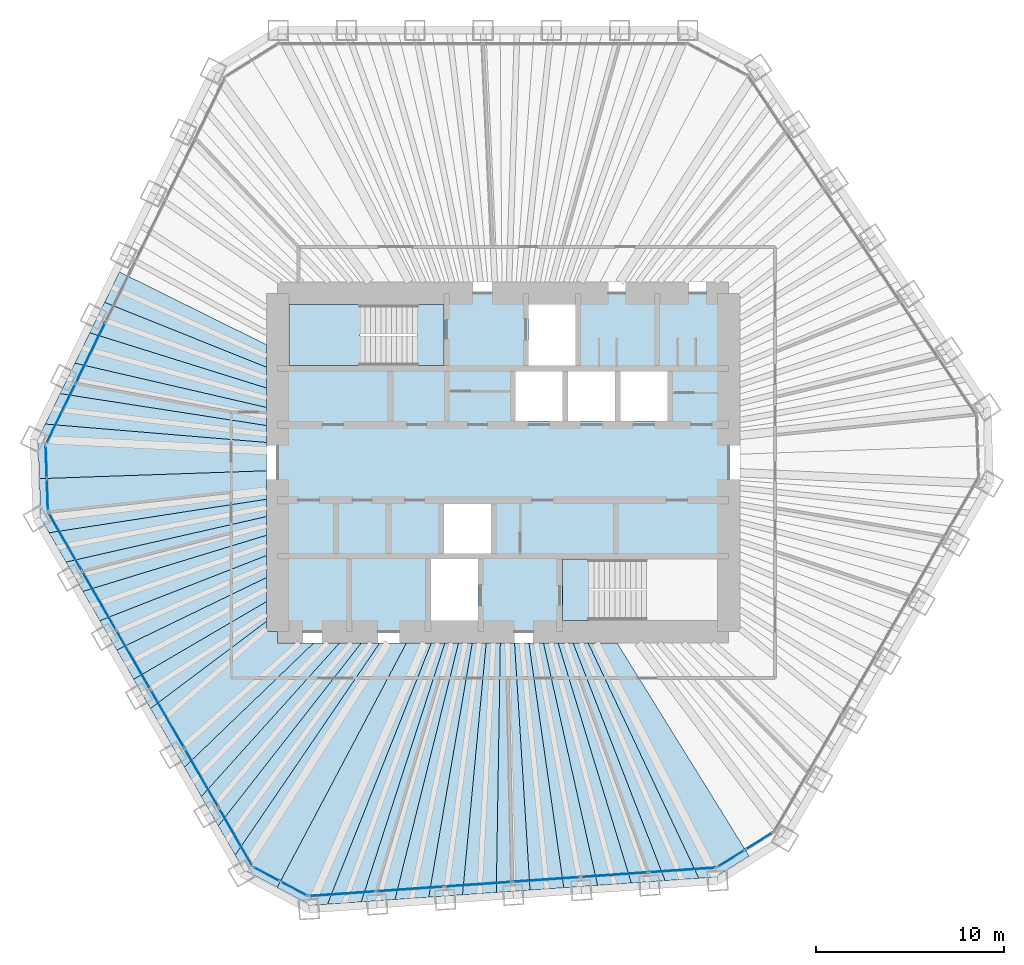
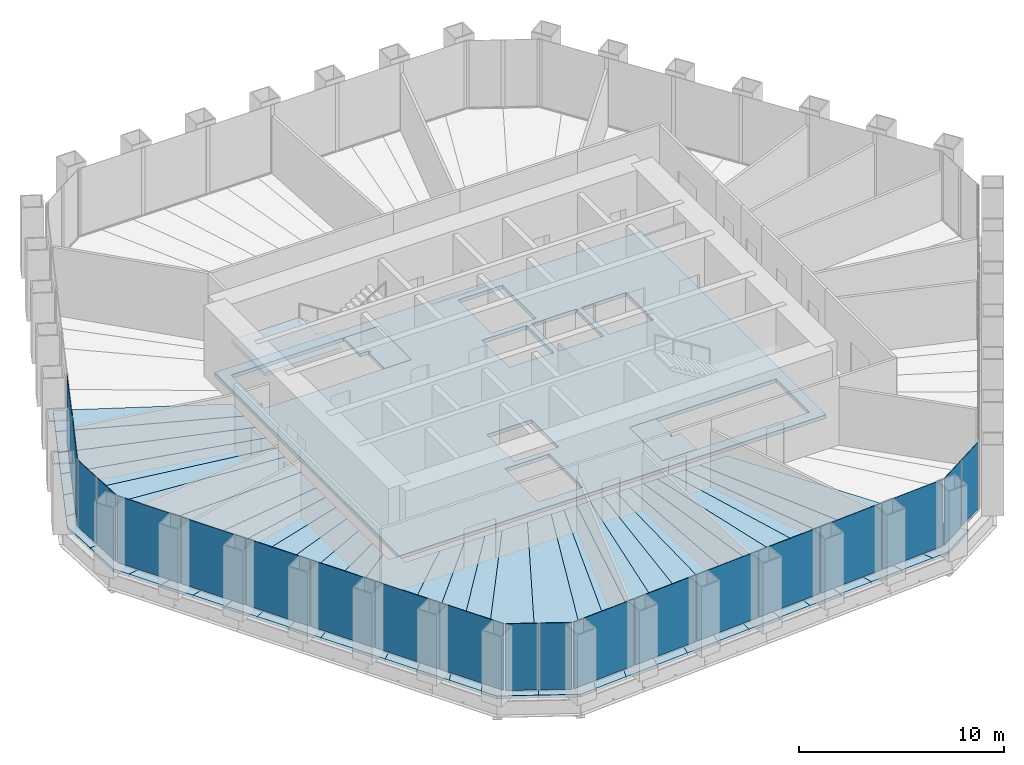
# One storey, part 8 of 13: 35 slabs, 20 plates, 8 elements without a shape of their own.
"""IFC4 building model written with IfcOpenShell, lengths in metres."""

from ifc_helpers import new_model, si_unit, direction, frame, origin, origin_2d, place, context, subcontext, project, spatial, polyline, rectangle, outline, extrude, material, layer, layer_set, type_object, element, aggregate, save


model = new_model("IFC4")

# Units and contexts
model_context = context("Model", 3, precision=1e-05, world=origin(), true_north=direction((0.0, 1.0)))
body_context = subcontext(model_context, "Body", "Model", "MODEL_VIEW")
ifc_project = project(units=[si_unit("LENGTHUNIT", "METRE"), si_unit("AREAUNIT", "SQUARE_METRE"), si_unit("VOLUMEUNIT", "CUBIC_METRE"), si_unit("PLANEANGLEUNIT", "RADIAN"), si_unit("MASSUNIT", "GRAM", prefix="KILO")], contexts=[model_context])

# Site, building, storey
site_placement = place(None, origin())
site = spatial("IfcSite", under=ifc_project, at=site_placement, CompositionType="ELEMENT")
building_placement = place(site_placement, origin())
building = spatial("IfcBuilding", under=site, at=building_placement, Name="Qingtian Harvest Tower", CompositionType="ELEMENT")
storey_placement = place(building_placement, frame((0.0, 0.0, 209.800048828125)))
storey = spatial("IfcBuildingStorey", under=building, at=storey_placement, Name="L45", CompositionType="ELEMENT", Elevation=209.800048828125)

# Slabs
ifc_material_1 = material(Name="Concrete fc' 35 MPa", Category="concrete")
ifc_layer_1 = layer(ifc_material_1, 0.169921875)
ifc_layer_set_1 = layer_set([ifc_layer_1], Name="Composite floor slab FS17 170")
slab_type_1 = type_object("IfcSlabType", Name="Composite floor slab FS17 170", PredefinedType="FLOOR", material=ifc_layer_set_1)
slab_1_placement = place(storey_placement, frame((0.0, 0.0, -0.170166015625)))
element("IfcSlab", 1, at=slab_1_placement, inside=storey, type_object=slab_type_1, Name="Floor slab L45 panel D01", PredefinedType="FLOOR", context=body_context, shape_type="SweptSolid", body=[
    extrude(outline(polyline([(-24.6865234375, -0.862060546875), (-12.60009765625, -0.443115234375), (-12.60009765625, -1.958984375), (-24.17236328125, -3.742431640625), (-24.612548828125, -2.979736328125), (-24.6865234375, -0.862060546875)])), origin(), (0.0, 0.0, 1.0), 0.170166015625),
])
slab_2_placement = place(storey_placement, frame((0.0, 0.0, -0.170166015625)))
element("IfcSlab", 2, at=slab_2_placement, inside=storey, type_object=slab_type_1, Name="Floor slab L45 panel D02", PredefinedType="FLOOR", context=body_context, shape_type="SweptSolid", body=[
    extrude(outline(polyline([(-12.60009765625, -2.880126953125), (-23.271484375, -5.302490234375), (-24.17236328125, -3.742431640625), (-12.60009765625, -1.958984375), (-12.60009765625, -2.880126953125)])), origin(), (0.0, 0.0, 1.0), 0.170166015625),
])
slab_3_placement = place(storey_placement, frame((0.0, 0.0, -0.170166015625)))
element("IfcSlab", 3, at=slab_3_placement, inside=storey, type_object=slab_type_1, Name="Floor slab L45 panel D03", PredefinedType="FLOOR", context=body_context, shape_type="SweptSolid", body=[
    extrude(outline(polyline([(-12.60009765625, -3.87548828125), (-22.370849609375, -6.862548828125), (-23.271484375, -5.302490234375), (-12.60009765625, -2.880126953125), (-12.60009765625, -3.87548828125)])), origin(), (0.0, 0.0, 1.0), 0.170166015625),
])
slab_4_placement = place(storey_placement, frame((0.0, 0.0, -0.170166015625)))
element("IfcSlab", 4, at=slab_4_placement, inside=storey, type_object=slab_type_1, Name="Floor slab L45 panel D04", PredefinedType="FLOOR", context=body_context, shape_type="SweptSolid", body=[
    extrude(outline(polyline([(-12.60009765625, -4.95458984375), (-21.47021484375, -8.422607421875), (-22.370849609375, -6.862548828125), (-12.60009765625, -3.87548828125), (-12.60009765625, -4.95458984375)])), origin(), (0.0, 0.0, 1.0), 0.170166015625),
])
slab_5_placement = place(storey_placement, frame((0.0, 0.0, -0.170166015625)))
element("IfcSlab", 5, at=slab_5_placement, inside=storey, type_object=slab_type_1, Name="Floor slab L45 panel D05", PredefinedType="FLOOR", context=body_context, shape_type="SweptSolid", body=[
    extrude(outline(polyline([(-12.60009765625, -6.128173828125), (-20.569580078125, -9.982666015625), (-21.47021484375, -8.422607421875), (-12.60009765625, -4.95458984375), (-12.60009765625, -6.128173828125)])), origin(), (0.0, 0.0, 1.0), 0.170166015625),
])
slab_6_placement = place(storey_placement, frame((0.0, 0.0, -0.170166015625)))
element("IfcSlab", 6, at=slab_6_placement, inside=storey, type_object=slab_type_1, Name="Floor slab L45 panel D06", PredefinedType="FLOOR", context=body_context, shape_type="SweptSolid", body=[
    extrude(outline(polyline([(-12.60009765625, -7.409423828125), (-19.668701171875, -11.542724609375), (-20.569580078125, -9.982666015625), (-12.60009765625, -6.128173828125), (-12.60009765625, -7.409423828125)])), origin(), (0.0, 0.0, 1.0), 0.170166015625),
])
slab_7_placement = place(storey_placement, frame((0.0, 0.0, -0.170166015625)))
element("IfcSlab", 7, at=slab_7_placement, inside=storey, type_object=slab_type_1, Name="Floor slab L45 panel D07", PredefinedType="FLOOR", context=body_context, shape_type="SweptSolid", body=[
    extrude(outline(polyline([(-12.60009765625, -8.46435546875), (-18.771728515625, -13.0966796875), (-19.668701171875, -11.542724609375), (-12.60009765625, -7.409423828125), (-12.60009765625, -8.46435546875)])), origin(), (0.0, 0.0, 1.0), 0.170166015625),
])
slab_8_placement = place(storey_placement, frame((0.0, 0.0, -0.170166015625)))
element("IfcSlab", 8, at=slab_8_placement, inside=storey, type_object=slab_type_1, Name="Floor slab L45 panel D09", PredefinedType="FLOOR", context=body_context, shape_type="SweptSolid", body=[
    extrude(outline(polyline([(-16.967041015625, -16.22216796875), (-18.771728515625, -13.0966796875), (-12.60009765625, -8.46435546875), (-12.60009765625, -9.0), (-12.0, -9.0), (-12.0, -9.60009765625), (-10.07666015625, -9.60009765625), (-16.967041015625, -16.22216796875)])), origin(), (0.0, 0.0, 1.0), 0.170166015625),
])
slab_9_placement = place(storey_placement, frame((0.0, 0.0, -0.170166015625)))
element("IfcSlab", 9, at=slab_9_placement, inside=storey, type_object=slab_type_1, Name="Floor slab L45 panel D10", PredefinedType="FLOOR", context=body_context, shape_type="SweptSolid", body=[
    extrude(outline(polyline([(-8.700927734375, -9.60009765625), (-16.06640625, -17.7822265625), (-16.967041015625, -16.22216796875), (-10.07666015625, -9.60009765625), (-8.700927734375, -9.60009765625)])), origin(), (0.0, 0.0, 1.0), 0.170166015625),
])
slab_10_placement = place(storey_placement, frame((0.0, 0.0, -0.170166015625)))
element("IfcSlab", 10, at=slab_10_placement, inside=storey, type_object=slab_type_1, Name="Floor slab L45 panel D11", PredefinedType="FLOOR", context=body_context, shape_type="SweptSolid", body=[
    extrude(outline(polyline([(-7.548095703125, -9.60009765625), (-15.16552734375, -19.34228515625), (-16.06640625, -17.7822265625), (-8.700927734375, -9.60009765625), (-7.548095703125, -9.60009765625)])), origin(), (0.0, 0.0, 1.0), 0.170166015625),
])
slab_11_placement = place(storey_placement, frame((0.0, 0.0, -0.170166015625)))
element("IfcSlab", 11, at=slab_11_placement, inside=storey, type_object=slab_type_1, Name="Floor slab L45 panel D12", PredefinedType="FLOOR", context=body_context, shape_type="SweptSolid", body=[
    extrude(outline(polyline([(-6.568359375, -9.60009765625), (-14.264892578125, -20.90234375), (-15.16552734375, -19.34228515625), (-7.548095703125, -9.60009765625), (-6.568359375, -9.60009765625)])), origin(), (0.0, 0.0, 1.0), 0.170166015625),
])
slab_12_placement = place(storey_placement, frame((0.0, 0.0, -0.170166015625)))
element("IfcSlab", 12, at=slab_12_placement, inside=storey, type_object=slab_type_1, Name="Floor slab L45 panel D13", PredefinedType="FLOOR", context=body_context, shape_type="SweptSolid", body=[
    extrude(outline(polyline([(-6.568359375, -9.60009765625), (-5.14501953125, -9.60009765625), (-12.028076171875, -22.620361328125), (-13.82470703125, -21.6650390625), (-14.264892578125, -20.90234375), (-6.568359375, -9.60009765625)])), origin(), (0.0, 0.0, 1.0), 0.170166015625),
])
slab_13_placement = place(storey_placement, frame((0.0, 0.0, -0.170166015625)))
element("IfcSlab", 13, at=slab_13_placement, inside=storey, type_object=slab_type_1, Name="Floor slab L45 panel D14", PredefinedType="FLOOR", context=body_context, shape_type="SweptSolid", body=[
    extrude(outline(polyline([(-5.14501953125, -9.60009765625), (-3.817138671875, -9.60009765625), (-9.352294921875, -23.5146484375), (-10.23046875, -23.576171875), (-12.028076171875, -22.620361328125), (-5.14501953125, -9.60009765625)])), origin(), (0.0, 0.0, 1.0), 0.170166015625),
])
slab_14_placement = place(storey_placement, frame((0.0, 0.0, -0.170166015625)))
element("IfcSlab", 14, at=slab_14_placement, inside=storey, type_object=slab_type_1, Name="Floor slab L45 panel D15", PredefinedType="FLOOR", context=body_context, shape_type="SweptSolid", body=[
    extrude(outline(polyline([(-3.10009765625, -9.60009765625), (-7.55517578125, -23.388916015625), (-9.352294921875, -23.5146484375), (-3.817138671875, -9.60009765625), (-3.10009765625, -9.60009765625)])), origin(), (0.0, 0.0, 1.0), 0.170166015625),
])
slab_15_placement = place(storey_placement, frame((0.0, 0.0, -0.170166015625)))
element("IfcSlab", 15, at=slab_15_placement, inside=storey, type_object=slab_type_1, Name="Floor slab L45 panel D16", PredefinedType="FLOOR", context=body_context, shape_type="SweptSolid", body=[
    extrude(outline(polyline([(-2.375244140625, -9.60009765625), (-5.75830078125, -23.263427734375), (-7.55517578125, -23.388916015625), (-3.10009765625, -9.60009765625), (-2.375244140625, -9.60009765625)])), origin(), (0.0, 0.0, 1.0), 0.170166015625),
])
slab_16_placement = place(storey_placement, frame((0.0, 0.0, -0.170166015625)))
element("IfcSlab", 16, at=slab_16_placement, inside=storey, type_object=slab_type_1, Name="Floor slab L45 panel D17", PredefinedType="FLOOR", context=body_context, shape_type="SweptSolid", body=[
    extrude(outline(polyline([(-1.642578125, -9.60009765625), (-3.96142578125, -23.1376953125), (-5.75830078125, -23.263427734375), (-2.375244140625, -9.60009765625), (-1.642578125, -9.60009765625)])), origin(), (0.0, 0.0, 1.0), 0.170166015625),
])
slab_17_placement = place(storey_placement, frame((0.0, 0.0, -0.170166015625)))
element("IfcSlab", 17, at=slab_17_placement, inside=storey, type_object=slab_type_1, Name="Floor slab L45 panel D18", PredefinedType="FLOOR", context=body_context, shape_type="SweptSolid", body=[
    extrude(outline(polyline([(-0.90185546875, -9.60009765625), (-2.164306640625, -23.011962890625), (-3.96142578125, -23.1376953125), (-1.642578125, -9.60009765625), (-0.90185546875, -9.60009765625)])), origin(), (0.0, 0.0, 1.0), 0.170166015625),
])
slab_18_placement = place(storey_placement, frame((0.0, 0.0, -0.170166015625)))
element("IfcSlab", 18, at=slab_18_placement, inside=storey, type_object=slab_type_1, Name="Floor slab L45 panel D19", PredefinedType="FLOOR", context=body_context, shape_type="SweptSolid", body=[
    extrude(outline(polyline([(-0.153076171875, -9.60009765625), (-0.367431640625, -22.886474609375), (-2.164306640625, -23.011962890625), (-0.90185546875, -9.60009765625), (-0.153076171875, -9.60009765625)])), origin(), (0.0, 0.0, 1.0), 0.170166015625),
])
slab_19_placement = place(storey_placement, frame((0.0, 0.0, -0.170166015625)))
element("IfcSlab", 19, at=slab_19_placement, inside=storey, type_object=slab_type_1, Name="Floor slab L45 panel D20", PredefinedType="FLOOR", context=body_context, shape_type="SweptSolid", body=[
    extrude(outline(polyline([(0.60400390625, -9.60009765625), (1.4296875, -22.7607421875), (-0.367431640625, -22.886474609375), (-0.153076171875, -9.60009765625), (0.60400390625, -9.60009765625)])), origin(), (0.0, 0.0, 1.0), 0.170166015625),
])
slab_20_placement = place(storey_placement, frame((0.0, 0.0, -0.170166015625)))
element("IfcSlab", 20, at=slab_20_placement, inside=storey, type_object=slab_type_1, Name="Floor slab L45 panel D21", PredefinedType="FLOOR", context=body_context, shape_type="SweptSolid", body=[
    extrude(outline(polyline([(1.36962890625, -9.60009765625), (3.2265625, -22.635009765625), (1.4296875, -22.7607421875), (0.60400390625, -9.60009765625), (1.36962890625, -9.60009765625)])), origin(), (0.0, 0.0, 1.0), 0.170166015625),
])
slab_21_placement = place(storey_placement, frame((0.0, 0.0, -0.170166015625)))
element("IfcSlab", 21, at=slab_21_placement, inside=storey, type_object=slab_type_1, Name="Floor slab L45 panel D22", PredefinedType="FLOOR", context=body_context, shape_type="SweptSolid", body=[
    extrude(outline(polyline([(2.1435546875, -9.60009765625), (5.023681640625, -22.509521484375), (3.2265625, -22.635009765625), (1.36962890625, -9.60009765625), (2.1435546875, -9.60009765625)])), origin(), (0.0, 0.0, 1.0), 0.170166015625),
])
slab_22_placement = place(storey_placement, frame((0.0, 0.0, -0.170166015625)))
element("IfcSlab", 22, at=slab_22_placement, inside=storey, type_object=slab_type_1, Name="Floor slab L45 panel D23", PredefinedType="FLOOR", context=body_context, shape_type="SweptSolid", body=[
    extrude(outline(polyline([(2.92626953125, -9.60009765625), (6.820556640625, -22.3837890625), (5.023681640625, -22.509521484375), (2.1435546875, -9.60009765625), (2.92626953125, -9.60009765625)])), origin(), (0.0, 0.0, 1.0), 0.170166015625),
])
slab_23_placement = place(storey_placement, frame((0.0, 0.0, -0.170166015625)))
element("IfcSlab", 23, at=slab_23_placement, inside=storey, type_object=slab_type_1, Name="Floor slab L45 panel D24", PredefinedType="FLOOR", context=body_context, shape_type="SweptSolid", body=[
    extrude(outline(polyline([(3.718017578125, -9.60009765625), (8.61767578125, -22.258056640625), (6.820556640625, -22.3837890625), (2.92626953125, -9.60009765625), (3.718017578125, -9.60009765625)])), origin(), (0.0, 0.0, 1.0), 0.170166015625),
])
slab_24_placement = place(storey_placement, frame((0.0, 0.0, -0.170166015625)))
element("IfcSlab", 24, at=slab_24_placement, inside=storey, type_object=slab_type_1, Name="Floor slab L45 panel D25", PredefinedType="FLOOR", context=body_context, shape_type="SweptSolid", body=[
    extrude(outline(polyline([(4.5185546875, -9.60009765625), (10.41455078125, -22.13232421875), (8.61767578125, -22.258056640625), (3.718017578125, -9.60009765625), (4.5185546875, -9.60009765625)])), origin(), (0.0, 0.0, 1.0), 0.170166015625),
])
slab_25_placement = place(storey_placement, frame((0.0, 0.0, -0.170166015625)))
element("IfcSlab", 25, at=slab_25_placement, inside=storey, type_object=slab_type_1, Name="Floor slab L45 panel D26", PredefinedType="FLOOR", context=body_context, shape_type="SweptSolid", body=[
    extrude(outline(polyline([(4.5185546875, -9.60009765625), (6.059326171875, -9.60009765625), (13.090576171875, -20.94775390625), (11.292724609375, -22.071044921875), (10.41455078125, -22.13232421875), (4.5185546875, -9.60009765625)])), origin(), (0.0, 0.0, 1.0), 0.170166015625),
])
slab_26_placement = place(storey_placement, frame((0.0, 0.0, -0.170166015625)))
element("IfcSlab", 26, at=slab_26_placement, inside=storey, type_object=slab_type_1, Name="Floor slab L45 panel D73", PredefinedType="FLOOR", context=body_context, shape_type="SweptSolid", body=[
    extrude(outline(polyline([(-12.60009765625, 5.072509765625), (-21.2158203125, 8.5234375), (-20.426025390625, 10.142578125), (-12.60009765625, 6.268310546875), (-12.60009765625, 5.072509765625)])), origin(), (0.0, 0.0, 1.0), 0.170166015625),
])
slab_27_placement = place(storey_placement, frame((0.0, 0.0, -0.170166015625)))
element("IfcSlab", 27, at=slab_27_placement, inside=storey, type_object=slab_type_1, Name="Floor slab L45 panel D74", PredefinedType="FLOOR", context=body_context, shape_type="SweptSolid", body=[
    extrude(outline(polyline([(-12.60009765625, 3.962890625), (-22.00537109375, 6.904296875), (-21.2158203125, 8.5234375), (-12.60009765625, 5.072509765625), (-12.60009765625, 3.962890625)])), origin(), (0.0, 0.0, 1.0), 0.170166015625),
])
slab_28_placement = place(storey_placement, frame((0.0, 0.0, -0.170166015625)))
element("IfcSlab", 28, at=slab_28_placement, inside=storey, type_object=slab_type_1, Name="Floor slab L45 panel D75", PredefinedType="FLOOR", context=body_context, shape_type="SweptSolid", body=[
    extrude(outline(polyline([(-12.60009765625, 2.929931640625), (-22.795166015625, 5.28515625), (-22.00537109375, 6.904296875), (-12.60009765625, 3.962890625), (-12.60009765625, 2.929931640625)])), origin(), (0.0, 0.0, 1.0), 0.170166015625),
])
slab_29_placement = place(storey_placement, frame((0.0, 0.0, -0.170166015625)))
element("IfcSlab", 29, at=slab_29_placement, inside=storey, type_object=slab_type_1, Name="Floor slab L45 panel D76", PredefinedType="FLOOR", context=body_context, shape_type="SweptSolid", body=[
    extrude(outline(polyline([(-12.60009765625, 1.96630859375), (-23.584716796875, 3.666259765625), (-22.795166015625, 5.28515625), (-12.60009765625, 2.929931640625), (-12.60009765625, 1.96630859375)])), origin(), (0.0, 0.0, 1.0), 0.170166015625),
])
slab_30_placement = place(storey_placement, frame((0.0, 0.0, -0.170166015625)))
element("IfcSlab", 30, at=slab_30_placement, inside=storey, type_object=slab_type_1, Name="Floor slab L45 panel D77", PredefinedType="FLOOR", context=body_context, shape_type="SweptSolid", body=[
    extrude(outline(polyline([(-12.60009765625, 1.065185546875), (-24.37451171875, 2.047119140625), (-23.584716796875, 3.666259765625), (-12.60009765625, 1.96630859375), (-12.60009765625, 1.065185546875)])), origin(), (0.0, 0.0, 1.0), 0.170166015625),
])
slab_31_placement = place(storey_placement, frame((0.0, 0.0, -0.170166015625)))
element("IfcSlab", 31, at=slab_31_placement, inside=storey, type_object=slab_type_1, Name="Floor slab L45 panel D78", PredefinedType="FLOOR", context=body_context, shape_type="SweptSolid", body=[
    extrude(outline(polyline([(-12.60009765625, 1.065185546875), (-12.60009765625, -0.443115234375), (-24.6865234375, -0.862060546875), (-24.760498046875, 1.255615234375), (-24.37451171875, 2.047119140625), (-12.60009765625, 1.065185546875)])), origin(), (0.0, 0.0, 1.0), 0.170166015625),
])
ifc_material_2 = material(Name="Concrete fc' 35 MPa", Category="concrete")
ifc_layer_2 = layer(ifc_material_2, 0.219970703125)
ifc_layer_set_2 = layer_set([ifc_layer_2], Name="Core floor slab CS22 220")
slab_type_2 = type_object("IfcSlabType", Name="Core floor slab CS22 220", PredefinedType="FLOOR", material=ifc_layer_set_2)
slab_32_placement = place(storey_placement, frame((0.0, 0.0, -0.219970703125)))
element("IfcSlab", 32, at=slab_32_placement, inside=storey, type_object=slab_type_2, Name="Core floor slab L45", PredefinedType="FLOOR", context=body_context, shape_type="SweptSolid", body=[
    extrude(outline(polyline([(-12.0, -9.0), (12.0, -9.0), (12.0, 9.0), (-12.0, 9.0), (-12.0, -9.0)]), holes=[polyline([(-11.39990234375, 5.14990234375), (-3.14990234375, 5.14990234375), (-3.14990234375, 8.39990234375), (-11.39990234375, 8.39990234375), (-11.39990234375, 5.14990234375)]), polyline([(3.14990234375, -8.39990234375), (11.39990234375, -8.39990234375), (11.39990234375, -5.14990234375), (3.14990234375, -5.14990234375), (3.14990234375, -8.39990234375)]), polyline([(1.35009765625, 5.14990234375), (3.85009765625, 5.14990234375), (3.85009765625, 8.39990234375), (1.35009765625, 8.39990234375), (1.35009765625, 5.14990234375)]), polyline([(-3.85009765625, -8.39990234375), (-1.35009765625, -8.39990234375), (-1.35009765625, -5.14990234375), (-3.85009765625, -5.14990234375), (-3.85009765625, -8.39990234375)]), polyline([(0.64990234375, 2.199951171875), (3.14990234375, 2.199951171875), (3.14990234375, 4.85009765625), (0.64990234375, 4.85009765625), (0.64990234375, 2.199951171875)]), polyline([(3.449951171875, 2.199951171875), (5.949951171875, 2.199951171875), (5.949951171875, 4.85009765625), (3.449951171875, 4.85009765625), (3.449951171875, 2.199951171875)]), polyline([(6.25, 2.199951171875), (8.75, 2.199951171875), (8.75, 4.85009765625), (6.25, 4.85009765625), (6.25, 2.199951171875)]), polyline([(-3.14990234375, -4.85009765625), (-0.64990234375, -4.85009765625), (-0.64990234375, -2.199951171875), (-3.14990234375, -2.199951171875), (-3.14990234375, -4.85009765625)])]), origin(), (0.0, 0.0, 1.0), 0.219970703125),
])

# Curtain wall, plates
ifc_material_3 = material(Name="Bronze-anodised aluminium curtain wall", Category="aluminium")
curtain_wall_type = type_object("IfcCurtainWallType", Name="Curtain wall CW4 office", PredefinedType="USERDEFINED", material=ifc_material_3)
curtain_wall_1_placement = place(storey_placement, origin())
curtain_wall_1 = element("IfcCurtainWall", 33, at=curtain_wall_1_placement, inside=storey, type_object=curtain_wall_type, Name="Curtain wall CW4 L45 SEC", ObjectType="RECESSED CURTAIN WALL", PredefinedType="USERDEFINED")
ifc_material_4 = material(Name="Bronze-tinted laminated insulating glass", Category="glass")
ifc_layer_3 = layer(ifc_material_4, 0.030029296875)
ifc_layer_set_3 = layer_set([ifc_layer_3], Name="Glazed panel CWP tinted IGU")
plate_type = type_object("IfcPlateType", Name="Glazed panel CWP tinted IGU", PredefinedType="CURTAIN_PANEL", material=ifc_layer_set_3)
plate_1_placement = place(storey_placement, frame((13.624755859375, -20.1455078125, 0.06494140625), z_axis=(0.0, 0.0, 1.0), x_axis=(-0.848048096156, -0.529919264233, 0.0)))
plate_1 = element("IfcPlate", 34, at=plate_1_placement, type_object=plate_type, Name="CW4 panel 1.1", PredefinedType="CURTAIN_PANEL", context=body_context, shape_type="SweptSolid", body=[
    extrude(rectangle(XDim=1.69287109375, YDim=0.030029296875, at=origin_2d()), origin(), (0.0, 0.0, 1.0), 3.965087890625),
])
plate_2_placement = place(storey_placement, frame((12.134033203125, -21.076904296875, 0.06494140625), z_axis=(0.0, 0.0, 1.0), x_axis=(-0.848048096156, -0.529919264233, 0.0)))
plate_2 = element("IfcPlate", 35, at=plate_2_placement, type_object=plate_type, Name="CW4 panel 2.1", PredefinedType="CURTAIN_PANEL", context=body_context, shape_type="SweptSolid", body=[
    extrude(rectangle(XDim=1.69287109375, YDim=0.030029296875, at=origin_2d()), origin(), (0.0, 0.0, 1.0), 3.965087890625),
])
aggregate(curtain_wall_1, [plate_1, plate_2])

curtain_wall_2_placement = place(storey_placement, origin())
curtain_wall_2 = element("IfcCurtainWall", 36, at=curtain_wall_2_placement, inside=storey, type_object=curtain_wall_type, Name="Curtain wall CW4 L45 S0-5", ObjectType="RECESSED CURTAIN WALL", PredefinedType="USERDEFINED")
plate_3_placement = place(storey_placement, frame((9.532470703125, -21.68798828125, 0.06494140625), z_axis=(0.0, 0.0, 1.0), x_axis=(-0.99756405026, -0.069756473744, 0.0)))
plate_3 = element("IfcPlate", 37, at=plate_3_placement, type_object=plate_type, Name="CW4 panel 1.1", PredefinedType="CURTAIN_PANEL", context=body_context, shape_type="SweptSolid", body=[
    extrude(rectangle(XDim=3.5361328125, YDim=0.030029296875, at=origin_2d()), origin(), (0.0, 0.0, 1.0), 3.965087890625),
])
plate_4_placement = place(storey_placement, frame((5.923828125, -21.940185546875, 0.06494140625), z_axis=(0.0, 0.0, 1.0), x_axis=(-0.99756405026, -0.069756473744, 0.0)))
plate_4 = element("IfcPlate", 38, at=plate_4_placement, type_object=plate_type, Name="CW4 panel 2.1", PredefinedType="CURTAIN_PANEL", context=body_context, shape_type="SweptSolid", body=[
    extrude(rectangle(XDim=3.568603515625, YDim=0.030029296875, at=origin_2d()), origin(), (0.0, 0.0, 1.0), 3.965087890625),
])
plate_5_placement = place(storey_placement, frame((2.299072265625, -22.193603515625, 0.06494140625), z_axis=(0.0, 0.0, 1.0), x_axis=(-0.99756405026, -0.069756473744, 0.0)))
plate_5 = element("IfcPlate", 39, at=plate_5_placement, type_object=plate_type, Name="CW4 panel 3.1", PredefinedType="CURTAIN_PANEL", context=body_context, shape_type="SweptSolid", body=[
    extrude(rectangle(XDim=3.568603515625, YDim=0.030029296875, at=origin_2d()), origin(), (0.0, 0.0, 1.0), 3.965087890625),
])
plate_6_placement = place(storey_placement, frame((-1.325439453125, -22.447021484375, 0.06494140625), z_axis=(0.0, 0.0, 1.0), x_axis=(-0.99756405026, -0.069756473744, 0.0)))
plate_6 = element("IfcPlate", 40, at=plate_6_placement, type_object=plate_type, Name="CW4 panel 4.1", PredefinedType="CURTAIN_PANEL", context=body_context, shape_type="SweptSolid", body=[
    extrude(rectangle(XDim=3.568603515625, YDim=0.030029296875, at=origin_2d()), origin(), (0.0, 0.0, 1.0), 3.965087890625),
])
plate_7_placement = place(storey_placement, frame((-4.9501953125, -22.70068359375, 0.06494140625), z_axis=(0.0, 0.0, 1.0), x_axis=(-0.99756405026, -0.069756473744, 0.0)))
plate_7 = element("IfcPlate", 41, at=plate_7_placement, type_object=plate_type, Name="CW4 panel 5.1", PredefinedType="CURTAIN_PANEL", context=body_context, shape_type="SweptSolid", body=[
    extrude(rectangle(XDim=3.568603515625, YDim=0.030029296875, at=origin_2d()), origin(), (0.0, 0.0, 1.0), 3.965087890625),
])
plate_8_placement = place(storey_placement, frame((-8.55859375, -22.952880859375, 0.06494140625), z_axis=(0.0, 0.0, 1.0), x_axis=(-0.99756405026, -0.069756473744, 0.0)))
plate_8 = element("IfcPlate", 42, at=plate_8_placement, type_object=plate_type, Name="CW4 panel 6.1", PredefinedType="CURTAIN_PANEL", context=body_context, shape_type="SweptSolid", body=[
    extrude(rectangle(XDim=3.5361328125, YDim=0.030029296875, at=origin_2d()), origin(), (0.0, 0.0, 1.0), 3.965087890625),
])
aggregate(curtain_wall_2, [plate_3, plate_4, plate_5, plate_6, plate_7, plate_8])

curtain_wall_3_placement = place(storey_placement, origin())
curtain_wall_3 = element("IfcCurtainWall", 43, at=curtain_wall_3_placement, inside=storey, type_object=curtain_wall_type, Name="Curtain wall CW4 L45 SC", ObjectType="RECESSED CURTAIN WALL", PredefinedType="USERDEFINED")
plate_9_placement = place(storey_placement, frame((-11.136474609375, -22.682373046875, 0.06494140625), z_axis=(0.0, 0.0, 1.0), x_axis=(-0.882947592859, 0.469471562786, 0.0)))
plate_9 = element("IfcPlate", 44, at=plate_9_placement, type_object=plate_type, Name="CW4 panel 1.1", PredefinedType="CURTAIN_PANEL", context=body_context, shape_type="SweptSolid", body=[
    extrude(rectangle(XDim=1.56689453125, YDim=0.030029296875, at=origin_2d()), origin(), (0.0, 0.0, 1.0), 3.965087890625),
])
plate_10_placement = place(storey_placement, frame((-12.5771484375, -21.916259765625, 0.06494140625), z_axis=(0.0, 0.0, 1.0), x_axis=(-0.882947592859, 0.469471562786, 0.0)))
plate_10 = element("IfcPlate", 45, at=plate_10_placement, type_object=plate_type, Name="CW4 panel 2.1", PredefinedType="CURTAIN_PANEL", context=body_context, shape_type="SweptSolid", body=[
    extrude(rectangle(XDim=1.56689453125, YDim=0.030029296875, at=origin_2d()), origin(), (0.0, 0.0, 1.0), 3.965087890625),
])
aggregate(curtain_wall_3, [plate_9, plate_10])

curtain_wall_4_placement = place(storey_placement, origin())
curtain_wall_4 = element("IfcCurtainWall", 46, at=curtain_wall_4_placement, inside=storey, type_object=curtain_wall_type, Name="Curtain wall CW4 L45 SW0-5", ObjectType="RECESSED CURTAIN WALL", PredefinedType="USERDEFINED")
plate_11_placement = place(storey_placement, frame((-14.242919921875, -19.9306640625, 0.06494140625), z_axis=(0.0, 0.0, 1.0), x_axis=(-0.5, 0.866025403784, 0.0)))
plate_11 = element("IfcPlate", 47, at=plate_11_placement, type_object=plate_type, Name="CW4 panel 1.1", PredefinedType="CURTAIN_PANEL", context=body_context, shape_type="SweptSolid", body=[
    extrude(rectangle(XDim=3.5361328125, YDim=0.030029296875, at=origin_2d()), origin(), (0.0, 0.0, 1.0), 3.965087890625),
])
plate_12_placement = place(storey_placement, frame((-16.051513671875, -16.7978515625, 0.06494140625), z_axis=(0.0, 0.0, 1.0), x_axis=(-0.5, 0.866025403784, 0.0)))
plate_12 = element("IfcPlate", 48, at=plate_12_placement, type_object=plate_type, Name="CW4 panel 2.1", PredefinedType="CURTAIN_PANEL", context=body_context, shape_type="SweptSolid", body=[
    extrude(rectangle(XDim=3.568603515625, YDim=0.030029296875, at=origin_2d()), origin(), (0.0, 0.0, 1.0), 3.965087890625),
])
plate_13_placement = place(storey_placement, frame((-17.868408203125, -13.651123046875, 0.06494140625), z_axis=(0.0, 0.0, 1.0), x_axis=(-0.5, 0.866025403784, 0.0)))
plate_13 = element("IfcPlate", 49, at=plate_13_placement, type_object=plate_type, Name="CW4 panel 3.1", PredefinedType="CURTAIN_PANEL", context=body_context, shape_type="SweptSolid", body=[
    extrude(rectangle(XDim=3.568603515625, YDim=0.030029296875, at=origin_2d()), origin(), (0.0, 0.0, 1.0), 3.965087890625),
])
plate_14_placement = place(storey_placement, frame((-19.68505859375, -10.50439453125, 0.06494140625), z_axis=(0.0, 0.0, 1.0), x_axis=(-0.5, 0.866025403784, 0.0)))
plate_14 = element("IfcPlate", 50, at=plate_14_placement, type_object=plate_type, Name="CW4 panel 4.1", PredefinedType="CURTAIN_PANEL", context=body_context, shape_type="SweptSolid", body=[
    extrude(rectangle(XDim=3.568603515625, YDim=0.030029296875, at=origin_2d()), origin(), (0.0, 0.0, 1.0), 3.965087890625),
])
plate_15_placement = place(storey_placement, frame((-21.501953125, -7.357666015625, 0.06494140625), z_axis=(0.0, 0.0, 1.0), x_axis=(-0.5, 0.866025403784, 0.0)))
plate_15 = element("IfcPlate", 51, at=plate_15_placement, type_object=plate_type, Name="CW4 panel 5.1", PredefinedType="CURTAIN_PANEL", context=body_context, shape_type="SweptSolid", body=[
    extrude(rectangle(XDim=3.568603515625, YDim=0.030029296875, at=origin_2d()), origin(), (0.0, 0.0, 1.0), 3.965087890625),
])
plate_16_placement = place(storey_placement, frame((-23.310546875, -4.22509765625, 0.06494140625), z_axis=(0.0, 0.0, 1.0), x_axis=(-0.5, 0.866025403784, 0.0)))
plate_16 = element("IfcPlate", 52, at=plate_16_placement, type_object=plate_type, Name="CW4 panel 6.1", PredefinedType="CURTAIN_PANEL", context=body_context, shape_type="SweptSolid", body=[
    extrude(rectangle(XDim=3.5361328125, YDim=0.030029296875, at=origin_2d()), origin(), (0.0, 0.0, 1.0), 3.965087890625),
])
aggregate(curtain_wall_4, [plate_11, plate_12, plate_13, plate_14, plate_15, plate_16])

curtain_wall_5_placement = place(storey_placement, origin())
curtain_wall_5 = element("IfcCurtainWall", 53, at=curtain_wall_5_placement, inside=storey, type_object=curtain_wall_type, Name="Curtain wall CW4 L45 SWC", ObjectType="RECESSED CURTAIN WALL", PredefinedType="USERDEFINED")
plate_17_placement = place(storey_placement, frame((-24.2587890625, -1.7265625, 0.06494140625), z_axis=(0.0, 0.0, 1.0), x_axis=(-0.034899496703, 0.999390827019, 0.0)))
plate_17 = element("IfcPlate", 54, at=plate_17_placement, type_object=plate_type, Name="CW4 panel 1.1", PredefinedType="CURTAIN_PANEL", context=body_context, shape_type="SweptSolid", body=[
    extrude(rectangle(XDim=1.69287109375, YDim=0.030029296875, at=origin_2d()), origin(), (0.0, 0.0, 1.0), 3.965087890625),
])
plate_18_placement = place(storey_placement, frame((-24.320068359375, 0.0302734375, 0.06494140625), z_axis=(0.0, 0.0, 1.0), x_axis=(-0.034899496703, 0.999390827019, 0.0)))
plate_18 = element("IfcPlate", 55, at=plate_18_placement, type_object=plate_type, Name="CW4 panel 2.1", PredefinedType="CURTAIN_PANEL", context=body_context, shape_type="SweptSolid", body=[
    extrude(rectangle(XDim=1.69287109375, YDim=0.030029296875, at=origin_2d()), origin(), (0.0, 0.0, 1.0), 3.965087890625),
])
aggregate(curtain_wall_5, [plate_17, plate_18])

curtain_wall_6_placement = place(storey_placement, origin())
curtain_wall_6 = element("IfcCurtainWall", 56, at=curtain_wall_6_placement, inside=storey, type_object=curtain_wall_type, Name="Curtain wall CW4 L45 NW0-5", ObjectType="RECESSED CURTAIN WALL", PredefinedType="USERDEFINED")
plate_19_placement = place(storey_placement, frame((-23.54833984375, 2.588623046875, 0.06494140625), z_axis=(0.0, 0.0, 1.0), x_axis=(0.438371146789, 0.898794046299, 0.0)))
plate_19 = element("IfcPlate", 57, at=plate_19_placement, type_object=plate_type, Name="CW4 panel 1.1", PredefinedType="CURTAIN_PANEL", context=body_context, shape_type="SweptSolid", body=[
    extrude(rectangle(XDim=3.5361328125, YDim=0.030029296875, at=origin_2d()), origin(), (0.0, 0.0, 1.0), 3.965087890625),
])
plate_20_placement = place(storey_placement, frame((-21.962646484375, 5.83984375, 0.06494140625), z_axis=(0.0, 0.0, 1.0), x_axis=(0.438371146789, 0.898794046299, 0.0)))
plate_20 = element("IfcPlate", 58, at=plate_20_placement, type_object=plate_type, Name="CW4 panel 2.1", PredefinedType="CURTAIN_PANEL", context=body_context, shape_type="SweptSolid", body=[
    extrude(rectangle(XDim=3.568603515625, YDim=0.030029296875, at=origin_2d()), origin(), (0.0, 0.0, 1.0), 3.965087890625),
])
aggregate(curtain_wall_6, [plate_19, plate_20])

# Stair, slabs
ifc_material_5 = material(Name="Concrete fc' 35 MPa", Category="concrete")
stair_type = type_object("IfcStairType", Name="Special stair ST4 4200", PredefinedType="HALF_TURN_STAIR", material=ifc_material_5)
stair_1_placement = place(storey_placement, origin())
stair_1 = element("IfcStair", 59, at=stair_1_placement, inside=storey, type_object=stair_type, Name="Special stair S1 L45", PredefinedType="HALF_TURN_STAIR")
ifc_material_6 = material(Name="Concrete fc' 35 MPa", Category="concrete")
ifc_layer_4 = layer(ifc_material_6, 0.199951171875)
ifc_layer_set_4 = layer_set([ifc_layer_4], Name="Stair landing SL2 200")
slab_type_3 = type_object("IfcSlabType", Name="Stair landing SL2 200", PredefinedType="LANDING", material=ifc_layer_set_4)
slab_33_placement = place(storey_placement, frame((0.0, 0.0, -0.199951171875)))
slab_33 = element("IfcSlab", 60, at=slab_33_placement, type_object=slab_type_3, Name="S1 landing 1", PredefinedType="LANDING", context=body_context, shape_type="SweptSolid", body=[
    extrude(outline(polyline([(-4.64990234375, 5.14990234375), (-4.64990234375, 6.72509765625), (-4.550048828125, 6.72509765625), (-4.550048828125, 6.824951171875), (-5.0849609375, 6.824951171875), (-5.0849609375, 8.39990234375), (-3.14990234375, 8.39990234375), (-3.14990234375, 5.14990234375), (-4.64990234375, 5.14990234375)])), origin(), (0.0, 0.0, 1.0), 0.199951171875),
])
slab_34_placement = place(storey_placement, frame((0.0, 0.0, 1.89990234375)))
slab_34 = element("IfcSlab", 61, at=slab_34_placement, type_object=slab_type_3, Name="S1 landing 2", PredefinedType="LANDING", context=body_context, shape_type="SweptSolid", body=[
    extrude(outline(polyline([(-7.094970703125, 5.14990234375), (-11.39990234375, 5.14990234375), (-11.39990234375, 8.39990234375), (-7.530029296875, 8.39990234375), (-7.530029296875, 6.824951171875), (-7.6298828125, 6.824951171875), (-7.6298828125, 6.72509765625), (-7.094970703125, 6.72509765625), (-7.094970703125, 5.14990234375)])), origin(), (0.0, 0.0, 1.0), 0.199951171875),
])
aggregate(stair_1, [slab_33, slab_34])

# Stair, slab
stair_2_placement = place(storey_placement, origin())
stair_2 = element("IfcStair", 62, at=stair_2_placement, inside=storey, type_object=stair_type, Name="Special stair S2 L45", PredefinedType="HALF_TURN_STAIR")
slab_35_placement = place(storey_placement, frame((0.0, 0.0, -0.199951171875)))
slab_35 = element("IfcSlab", 63, at=slab_35_placement, type_object=slab_type_3, Name="S2 landing 1", PredefinedType="LANDING", context=body_context, shape_type="SweptSolid", body=[
    extrude(outline(polyline([(5.0849609375, -8.39990234375), (3.14990234375, -8.39990234375), (3.14990234375, -5.14990234375), (4.64990234375, -5.14990234375), (4.64990234375, -6.72509765625), (4.550048828125, -6.72509765625), (4.550048828125, -6.824951171875), (5.0849609375, -6.824951171875), (5.0849609375, -8.39990234375)])), origin(), (0.0, 0.0, 1.0), 0.199951171875),
])
aggregate(stair_2, [slab_35])

save(model, "model.ifc")
